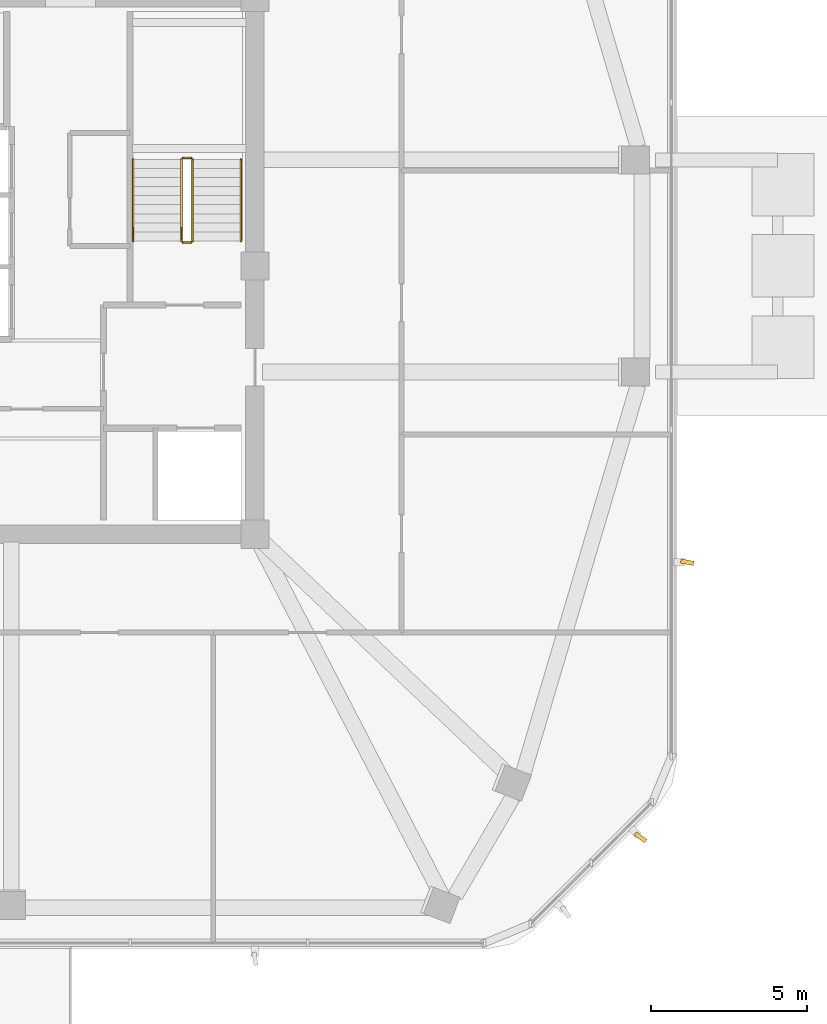
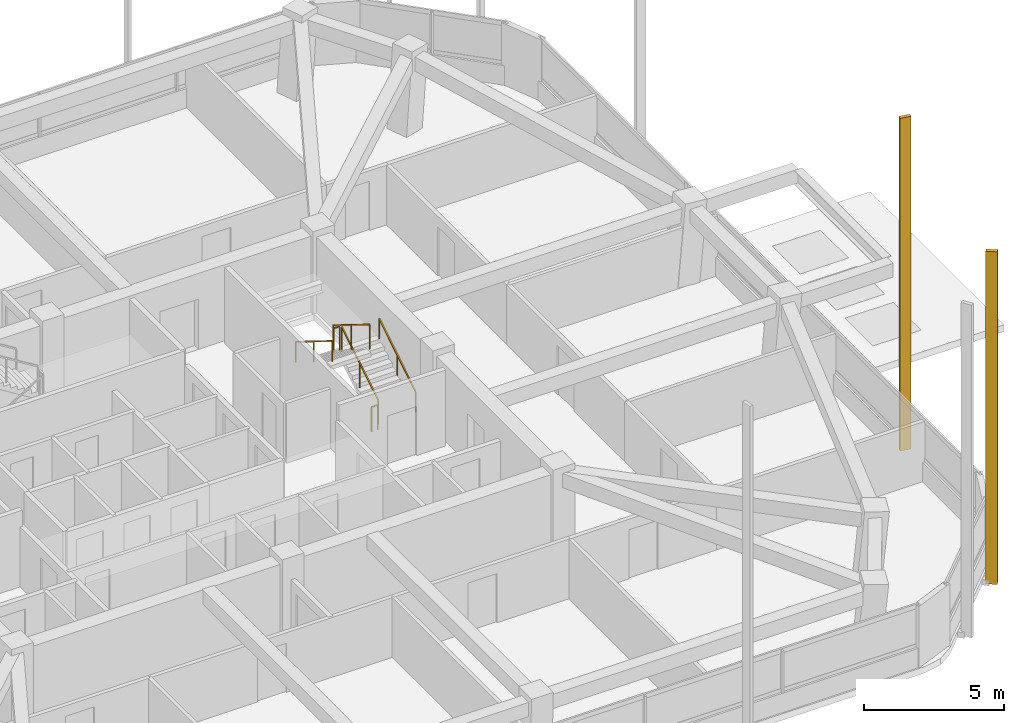
# One storey, part 13 of 14: 6 railings, 2 shading devices.
"""IFC4 building model written with IfcOpenShell, lengths in metres."""

from ifc_helpers import new_model, si_unit, derived_unit, direction, frame, origin, origin_2d, place, context, subcontext, project, spatial, rectangle, extrude, material, type_object, element, save


model = new_model("IFC4")

# Units and contexts
model_context = context("Model", 3, precision=1e-05, world=origin(), true_north=direction((0.0, 1.0)))
body_context = subcontext(model_context, "Body", "Model", "MODEL_VIEW")
ifc_project = project(units=[si_unit("LENGTHUNIT", "METRE"), si_unit("AREAUNIT", "SQUARE_METRE"), si_unit("VOLUMEUNIT", "CUBIC_METRE"), si_unit("PLANEANGLEUNIT", "RADIAN"), si_unit("MASSUNIT", "GRAM", prefix="KILO"), derived_unit("THERMALTRANSMITTANCEUNIT", [(si_unit("POWERUNIT", "WATT"), 1), (si_unit("LENGTHUNIT", "METRE"), -2), (si_unit("THERMODYNAMICTEMPERATUREUNIT", "KELVIN"), -1)])], contexts=[model_context])

# Site, building, storey
site_placement = place(None, origin())
site = spatial("IfcSite", under=ifc_project, at=site_placement, CompositionType="ELEMENT")
building_placement = place(site_placement, origin())
building = spatial("IfcBuilding", under=site, at=building_placement, Name="Koralith Skygarden Medical Center", CompositionType="ELEMENT")
storey_placement = place(building_placement, frame((0.0, 0.0, 192.780029296875)))
storey = spatial("IfcBuildingStorey", under=building, at=storey_placement, Name="L49", CompositionType="ELEMENT", Elevation=192.780029296875)

# Shading devices
ifc_material_1 = material(Name="Aluminium 6063-T6", Category="aluminium")
shading_device_type = type_object("IfcShadingDeviceType", Name="Limestone-Clad Solar Storm Fin 420", PredefinedType="USERDEFINED", material=ifc_material_1)
for number, where, z_axis, x_axis, name in (
    (1, (60.555908203125, 7.592041015625, -0.2001953125), (0.0, 0.0, 1.0), (0.810726773047, -0.585424717163, 0.0), "L49 SE Harmonic Solar Storm Fin 2"),
    (2, (62.053955078125, 16.405029296875, -0.2001953125), (0.0, 0.0, 1.0), (0.983018722418, -0.183505289776, 0.0), "L49 E Harmonic Solar Storm Fin 1"),
):
    element("IfcShadingDevice", number, at=place(storey_placement, frame(where, z_axis=z_axis, x_axis=x_axis)), inside=storey, type_object=shading_device_type, Name=name, ObjectType="SOLAR FIN", PredefinedType="USERDEFINED", context=body_context, shape_type="SweptSolid", body=[
        extrude(rectangle(XDim=0.419921875, YDim=0.139892578125, at=origin_2d()), origin(), (0.0, 0.0, 1.0), 14.550048828125),
    ])

# Railings
ifc_material_2 = material(Name="Steel ASTM A500 Grade C", Category="steel")
railing_type_1 = type_object("IfcRailingType", Name="Stair Flight Tubular Handrail 920", PredefinedType="HANDRAIL", material=ifc_material_2)
railing_1_placement = place(storey_placement, frame((47.75, 26.699951171875, 0.179931640625)))
element("IfcRailing", 3, at=railing_1_placement, inside=storey, type_object=railing_type_1, Name="L49 ST2 stair handrail 1", PredefinedType="HANDRAIL", context=body_context, shape_type="SweptSolid", body=[
    extrude(rectangle(XDim=0.050048828125, YDim=0.050048828125, at=origin_2d()), frame((0.0, 0.001708984375, 0.89599609375), z_axis=(0.0, 0.849632798774, 0.527374731332), x_axis=(-1.0, 0.0, 0.0)), (0.0, 0.0, 1.0), 3.068115234375),
    extrude(rectangle(XDim=0.0419921875, YDim=0.0419921875, at=origin_2d()), origin(), (0.0, 0.0, 1.0), 0.867919921875),
    extrude(rectangle(XDim=0.0419921875, YDim=0.0419921875, at=origin_2d()), frame((0.0, 1.30517578125, 0.81005859375)), (0.0, 0.0, 1.0), 0.867919921875),
    extrude(rectangle(XDim=0.0419921875, YDim=0.0419921875, at=origin_2d()), frame((0.0, 2.610107421875, 1.6201171875)), (0.0, 0.0, 1.0), 0.867919921875),
])
railing_2_placement = place(storey_placement, frame((44.300048828125, 29.31005859375, 1.97998046875)))
element("IfcRailing", 4, at=railing_2_placement, inside=storey, type_object=railing_type_1, Name="L49 ST2 stair handrail 2", PredefinedType="HANDRAIL", context=body_context, shape_type="SweptSolid", body=[
    extrude(rectangle(XDim=0.050048828125, YDim=0.050048828125, at=origin_2d()), frame((0.0, -0.001708984375, 0.89599609375), z_axis=(0.0, -0.849668407637, 0.527317358963), x_axis=(1.0, 0.0, 0.0)), (0.0, 0.0, 1.0), 3.06787109375),
    extrude(rectangle(XDim=0.0419921875, YDim=0.0419921875, at=origin_2d()), origin(), (0.0, 0.0, 1.0), 0.867919921875),
    extrude(rectangle(XDim=0.0419921875, YDim=0.0419921875, at=origin_2d()), frame((0.0, -1.30517578125, 0.81005859375)), (0.0, 0.0, 1.0), 0.867919921875),
    extrude(rectangle(XDim=0.0419921875, YDim=0.0419921875, at=origin_2d()), frame((0.0, -2.610107421875, 1.619873046875)), (0.0, 0.0, 1.0), 0.867919921875),
])
railing_type_2 = type_object("IfcRailingType", Name="Stair Well Safety Guardrail 1100", PredefinedType="GUARDRAIL", material=ifc_material_2)
railing_3_placement = place(storey_placement, frame((46.199951171875, 26.699951171875, 0.179931640625)))
element("IfcRailing", 5, at=railing_3_placement, inside=storey, type_object=railing_type_2, Name="L49 ST2 stair guard 1", PredefinedType="GUARDRAIL", context=body_context, shape_type="SweptSolid", body=[
    extrude(rectangle(XDim=0.050048828125, YDim=0.050048828125, at=origin_2d()), frame((0.0, 0.001708984375, 1.076171875), z_axis=(0.0, 0.849632798774, 0.527374731332), x_axis=(-1.0, 0.0, 0.0)), (0.0, 0.0, 1.0), 3.068115234375),
    extrude(rectangle(XDim=0.0419921875, YDim=0.0419921875, at=origin_2d()), origin(), (0.0, 0.0, 1.0), 1.048095703125),
    extrude(rectangle(XDim=0.0419921875, YDim=0.0419921875, at=origin_2d()), frame((0.0, 1.30517578125, 0.81005859375)), (0.0, 0.0, 1.0), 1.048095703125),
    extrude(rectangle(XDim=0.0419921875, YDim=0.0419921875, at=origin_2d()), frame((0.0, 2.610107421875, 1.6201171875)), (0.0, 0.0, 1.0), 1.048095703125),
])
railing_4_placement = place(storey_placement, frame((46.14990234375, 29.360107421875, 1.800048828125)))
element("IfcRailing", 6, at=railing_4_placement, inside=storey, type_object=railing_type_2, Name="L49 ST2 stair guard 2", PredefinedType="GUARDRAIL", context=body_context, shape_type="SweptSolid", body=[
    extrude(rectangle(XDim=0.050048828125, YDim=0.050048828125, at=origin_2d()), frame((-0.001953125, 0.0, 1.0751953125), z_axis=(-1.0, 0.0, 0.0), x_axis=(0.0, -1.0, 0.0)), (0.0, 0.0, 1.0), 0.24609375),
    extrude(rectangle(XDim=0.0419921875, YDim=0.0419921875, at=origin_2d()), origin(), (0.0, 0.0, 1.0), 1.048095703125),
    extrude(rectangle(XDim=0.0419921875, YDim=0.0419921875, at=origin_2d()), frame((-0.25, 0.0, 0.0)), (0.0, 0.0, 1.0), 1.048095703125),
])
railing_5_placement = place(storey_placement, frame((45.85009765625, 29.31005859375, 1.97998046875)))
element("IfcRailing", 7, at=railing_5_placement, inside=storey, type_object=railing_type_2, Name="L49 ST2 stair guard 3", PredefinedType="GUARDRAIL", context=body_context, shape_type="SweptSolid", body=[
    extrude(rectangle(XDim=0.050048828125, YDim=0.050048828125, at=origin_2d()), frame((0.0, -0.001708984375, 1.076171875), z_axis=(0.0, -0.849668407637, 0.527317358963), x_axis=(1.0, 0.0, 0.0)), (0.0, 0.0, 1.0), 3.06787109375),
    extrude(rectangle(XDim=0.0419921875, YDim=0.0419921875, at=origin_2d()), origin(), (0.0, 0.0, 1.0), 1.048095703125),
    extrude(rectangle(XDim=0.0419921875, YDim=0.0419921875, at=origin_2d()), frame((0.0, -1.30517578125, 0.81005859375)), (0.0, 0.0, 1.0), 1.048095703125),
    extrude(rectangle(XDim=0.0419921875, YDim=0.0419921875, at=origin_2d()), frame((0.0, -2.610107421875, 1.619873046875)), (0.0, 0.0, 1.0), 1.048095703125),
])
railing_6_placement = place(storey_placement, frame((46.14990234375, 26.64990234375, 0.0)))
element("IfcRailing", 8, at=railing_6_placement, inside=storey, type_object=railing_type_2, Name="L49 ST2 stair guard 4", PredefinedType="GUARDRAIL", context=body_context, shape_type="SweptSolid", body=[
    extrude(rectangle(XDim=0.050048828125, YDim=0.050048828125, at=origin_2d()), frame((-0.001953125, 0.0, 1.0751953125), z_axis=(-1.0, 0.0, 0.0), x_axis=(0.0, -1.0, 0.0)), (0.0, 0.0, 1.0), 0.24609375),
    extrude(rectangle(XDim=0.0419921875, YDim=0.0419921875, at=origin_2d()), origin(), (0.0, 0.0, 1.0), 1.048095703125),
    extrude(rectangle(XDim=0.0419921875, YDim=0.0419921875, at=origin_2d()), frame((-0.25, 0.0, 0.0)), (0.0, 0.0, 1.0), 1.048095703125),
])

save(model, "model.ifc")
